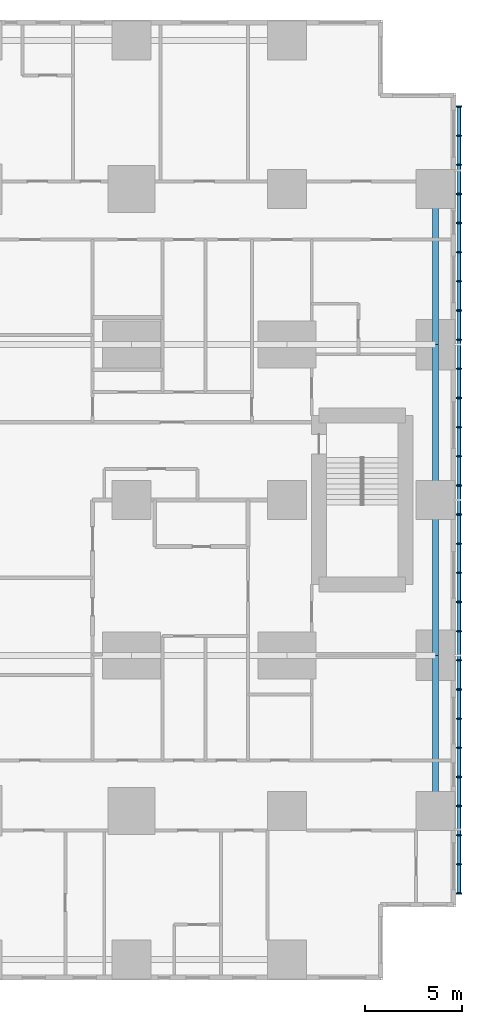
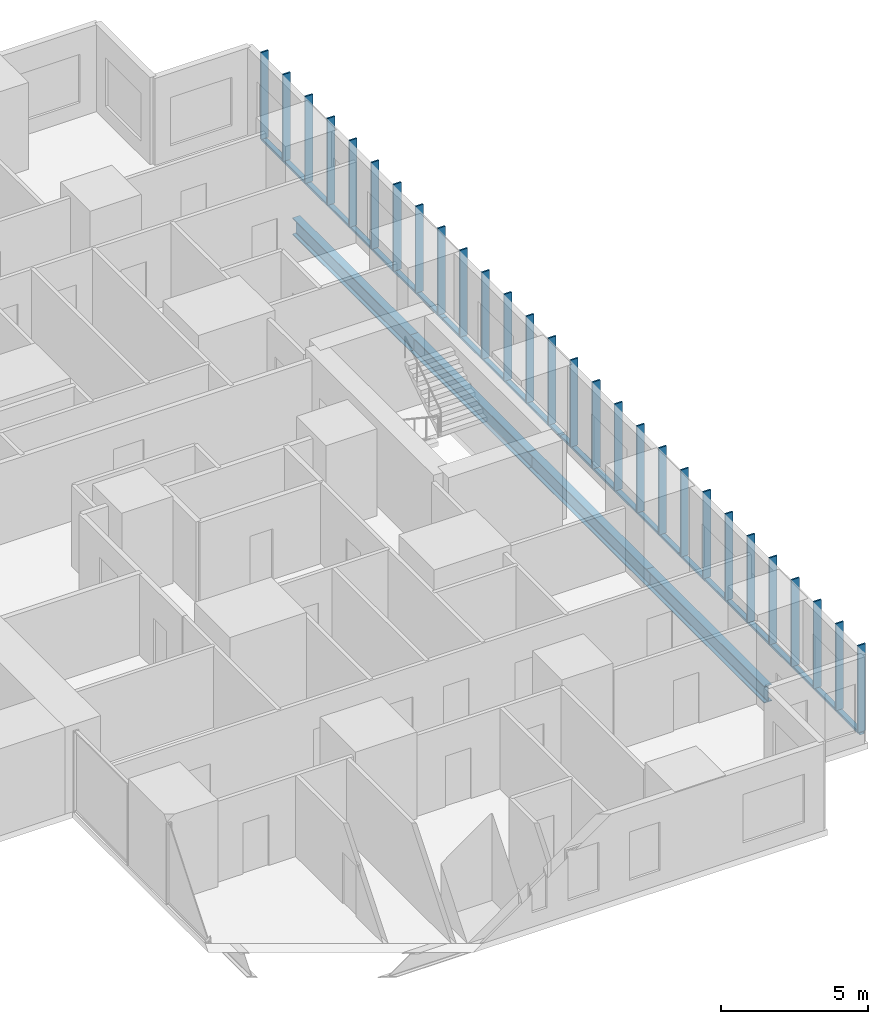
# One storey, part 6 of 20: 32 members, 4 beams.
"""IFC4 building model written with IfcOpenShell, lengths in metres."""

from ifc_helpers import new_model, si_unit, direction, frame, origin, origin_2d, place, context, subcontext, project, spatial, rectangle, hollow_rectangle, i_section, extrude, material, material_profile, profile_set, type_object, element, save


model = new_model("IFC4")

# Units and contexts
model_context = context("Model", 3, precision=1e-05, world=origin(), true_north=direction((0.0, 1.0)))
body_context = subcontext(model_context, "Body", "Model", "MODEL_VIEW")
ifc_project = project(units=[si_unit("LENGTHUNIT", "METRE"), si_unit("AREAUNIT", "SQUARE_METRE"), si_unit("VOLUMEUNIT", "CUBIC_METRE"), si_unit("PLANEANGLEUNIT", "RADIAN"), si_unit("MASSUNIT", "GRAM", prefix="KILO")], contexts=[model_context])

# Site, building, storey
site_placement = place(None, origin())
site = spatial("IfcSite", under=ifc_project, at=site_placement, CompositionType="ELEMENT")
building_placement = place(site_placement, origin())
building = spatial("IfcBuilding", under=site, at=building_placement, Name="Cleftline Residences", CompositionType="ELEMENT")
storey_placement = place(building_placement, frame((0.0, 0.0, 76.39990234375)))
storey = spatial("IfcBuildingStorey", under=building, at=storey_placement, Name="L19", CompositionType="ELEMENT", Elevation=76.39990234375)

# Members
ifc_material_1 = material(Name="Steel S355, hot-dip galvanised", Category="steel")
ifc_material_profile_1 = material_profile(ifc_material_1, hollow_rectangle(XDim=0.10009765625, YDim=0.199951171875, WallThickness=0.008056640625, InnerFilletRadius=0.008056640625, OuterFilletRadius=0.011962890625, at=origin_2d()))
ifc_profile_set_1 = profile_set([ifc_material_profile_1], Name="Steel S355, hot-dip galvanised")
member_type_1 = type_object("IfcMemberType", Name="BAGUETTE CARRIER RHS 200X100X8", PredefinedType="USERDEFINED", material=ifc_profile_set_1)
member_1_placement = place(storey_placement, frame((66.85009765625, 3.699951171875, -0.0498046875), z_axis=(0.0, 1.0, 0.0), x_axis=(0.0, 0.0, 1.0)))
element("IfcMember", 1, at=member_1_placement, inside=storey, type_object=member_type_1, Name="Baguette carrier", ObjectType="BAGUETTE CARRIER", PredefinedType="USERDEFINED", context=body_context, shape_type="SweptSolid", body=[
    extrude(hollow_rectangle(XDim=0.10009765625, YDim=0.199951171875, WallThickness=0.008056640625, InnerFilletRadius=0.008056640625, OuterFilletRadius=0.011962890625, at=origin_2d()), origin(), (0.0, 0.0, 1.0), 12.300048828125),
])
for number, where, z_axis, x_axis, name in (
    (2, (66.85009765625, 16.0, -0.0498046875), (0.0, 1.0, 0.0), (0.0, 0.0, 1.0), "Baguette carrier"),
    (3, (66.85009765625, 24.0, -0.0498046875), (0.0, 1.0, 0.0), (0.0, 0.0, 1.0), "Baguette carrier"),
):
    element("IfcMember", number, at=place(storey_placement, frame(where, z_axis=z_axis, x_axis=x_axis)), inside=storey, type_object=member_type_1, Name=name, ObjectType="BAGUETTE CARRIER", PredefinedType="USERDEFINED", context=body_context, shape_type="SweptSolid", body=[
        extrude(hollow_rectangle(XDim=0.10009765625, YDim=0.199951171875, WallThickness=0.008056640625, InnerFilletRadius=0.008056640625, OuterFilletRadius=0.011962890625, at=origin_2d()), origin(), (0.0, 0.0, 1.0), 8.0),
    ])
member_2_placement = place(storey_placement, frame((66.85009765625, 32.0, -0.0498046875), z_axis=(0.0, 1.0, 0.0), x_axis=(0.0, 0.0, 1.0)))
element("IfcMember", 4, at=member_2_placement, inside=storey, type_object=member_type_1, Name="Baguette carrier", ObjectType="BAGUETTE CARRIER", PredefinedType="USERDEFINED", context=body_context, shape_type="SweptSolid", body=[
    extrude(hollow_rectangle(XDim=0.10009765625, YDim=0.199951171875, WallThickness=0.008056640625, InnerFilletRadius=0.008056640625, OuterFilletRadius=0.011962890625, at=origin_2d()), origin(), (0.0, 0.0, 1.0), 12.300048828125),
])

# Beams
ifc_material_2 = material(Name="Steel S355", Category="steel")
ifc_material_profile_2 = material_profile(ifc_material_2, i_section(OverallWidth=0.300048828125, OverallDepth=0.699951171875, WebThickness=0.01708984375, FlangeThickness=0.031982421875, FilletRadius=0.027099609375, at=origin_2d()))
ifc_profile_set_2 = profile_set([ifc_material_profile_2], Name="Steel S355")
beam_type = type_object("IfcBeamType", Name="BEAM HEB 700", PredefinedType="BEAM", material=ifc_profile_set_2)
for number, where, z_axis, x_axis, name in (
    (5, (65.64990234375, 8.0, -0.599853515625), (0.0, 1.0, 0.0), (-1.0, 0.0, 0.0), "Edge beam"),
    (6, (65.64990234375, 16.0, -0.599853515625), (0.0, 1.0, 0.0), (-1.0, 0.0, 0.0), "Edge beam"),
    (7, (65.64990234375, 24.0, -0.599853515625), (0.0, 1.0, 0.0), (-1.0, 0.0, 0.0), "Edge beam"),
    (8, (65.64990234375, 32.0, -0.599853515625), (0.0, 1.0, 0.0), (-1.0, 0.0, 0.0), "Edge beam"),
):
    element("IfcBeam", number, at=place(storey_placement, frame(where, z_axis=z_axis, x_axis=x_axis)), inside=storey, type_object=beam_type, Name=name, PredefinedType="BEAM", context=body_context, shape_type="SweptSolid", body=[
        extrude(i_section(OverallWidth=0.300048828125, OverallDepth=0.699951171875, WebThickness=0.01708984375, FlangeThickness=0.031982421875, FilletRadius=0.027099609375, at=origin_2d()), origin(), (0.0, 0.0, 1.0), 8.0),
    ])

# Members
ifc_material_3 = material(Name="Extruded terracotta", Category="masonry")
ifc_material_profile_3 = material_profile(ifc_material_3, rectangle(XDim=0.06005859375, YDim=0.300048828125, at=origin_2d()))
ifc_profile_set_3 = profile_set([ifc_material_profile_3], Name="Extruded terracotta")
member_type_2 = type_object("IfcMemberType", Name="TERRACOTTA BAGUETTE 60X300", PredefinedType="USERDEFINED", material=ifc_profile_set_3)
for number, where, z_axis, x_axis, name in (
    (9, (66.85009765625, 3.75, 0.0), (0.0, 0.0, 1.0), (0.0, 1.0, 0.0), "Terracotta baguette"),
    (10, (66.85009765625, 5.25, 0.0), (0.0, 0.0, 1.0), (0.0, 1.0, 0.0), "Terracotta baguette"),
    (11, (66.85009765625, 6.75, 0.0), (0.0, 0.0, 1.0), (0.0, 1.0, 0.0), "Terracotta baguette"),
    (12, (66.85009765625, 8.25, 0.0), (0.0, 0.0, 1.0), (0.0, 1.0, 0.0), "Terracotta baguette"),
    (13, (66.85009765625, 9.75, 0.0), (0.0, 0.0, 1.0), (0.0, 1.0, 0.0), "Terracotta baguette"),
    (14, (66.85009765625, 11.25, 0.0), (0.0, 0.0, 1.0), (0.0, 1.0, 0.0), "Terracotta baguette"),
    (15, (66.85009765625, 12.75, 0.0), (0.0, 0.0, 1.0), (0.0, 1.0, 0.0), "Terracotta baguette"),
    (16, (66.85009765625, 14.25, 0.0), (0.0, 0.0, 1.0), (0.0, 1.0, 0.0), "Terracotta baguette"),
    (17, (66.85009765625, 15.75, 0.0), (0.0, 0.0, 1.0), (0.0, 1.0, 0.0), "Terracotta baguette"),
    (18, (66.85009765625, 17.25, 0.0), (0.0, 0.0, 1.0), (0.0, 1.0, 0.0), "Terracotta baguette"),
    (19, (66.85009765625, 18.75, 0.0), (0.0, 0.0, 1.0), (0.0, 1.0, 0.0), "Terracotta baguette"),
    (20, (66.85009765625, 20.25, 0.0), (0.0, 0.0, 1.0), (0.0, 1.0, 0.0), "Terracotta baguette"),
    (21, (66.85009765625, 21.75, 0.0), (0.0, 0.0, 1.0), (0.0, 1.0, 0.0), "Terracotta baguette"),
    (22, (66.85009765625, 23.25, 0.0), (0.0, 0.0, 1.0), (0.0, 1.0, 0.0), "Terracotta baguette"),
    (23, (66.85009765625, 24.75, 0.0), (0.0, 0.0, 1.0), (0.0, 1.0, 0.0), "Terracotta baguette"),
    (24, (66.85009765625, 26.25, 0.0), (0.0, 0.0, 1.0), (0.0, 1.0, 0.0), "Terracotta baguette"),
    (25, (66.85009765625, 27.75, 0.0), (0.0, 0.0, 1.0), (0.0, 1.0, 0.0), "Terracotta baguette"),
    (26, (66.85009765625, 29.25, 0.0), (0.0, 0.0, 1.0), (0.0, 1.0, 0.0), "Terracotta baguette"),
    (27, (66.85009765625, 30.75, 0.0), (0.0, 0.0, 1.0), (0.0, 1.0, 0.0), "Terracotta baguette"),
    (28, (66.85009765625, 32.25, 0.0), (0.0, 0.0, 1.0), (0.0, 1.0, 0.0), "Terracotta baguette"),
    (29, (66.85009765625, 33.75, 0.0), (0.0, 0.0, 1.0), (0.0, 1.0, 0.0), "Terracotta baguette"),
    (30, (66.85009765625, 35.25, 0.0), (0.0, 0.0, 1.0), (0.0, 1.0, 0.0), "Terracotta baguette"),
    (31, (66.85009765625, 36.75, 0.0), (0.0, 0.0, 1.0), (0.0, 1.0, 0.0), "Terracotta baguette"),
    (32, (66.85009765625, 38.25, 0.0), (0.0, 0.0, 1.0), (0.0, 1.0, 0.0), "Terracotta baguette"),
    (33, (66.85009765625, 39.75, 0.0), (0.0, 0.0, 1.0), (0.0, 1.0, 0.0), "Terracotta baguette"),
    (34, (66.85009765625, 41.25, 0.0), (0.0, 0.0, 1.0), (0.0, 1.0, 0.0), "Terracotta baguette"),
    (35, (66.85009765625, 42.75, 0.0), (0.0, 0.0, 1.0), (0.0, 1.0, 0.0), "Terracotta baguette"),
    (36, (66.85009765625, 44.25, 0.0), (0.0, 0.0, 1.0), (0.0, 1.0, 0.0), "Terracotta baguette"),
):
    element("IfcMember", number, at=place(storey_placement, frame(where, z_axis=z_axis, x_axis=x_axis)), inside=storey, type_object=member_type_2, Name=name, ObjectType="BAGUETTE", PredefinedType="USERDEFINED", context=body_context, shape_type="SweptSolid", body=[
        extrude(rectangle(XDim=0.06005859375, YDim=0.300048828125, at=origin_2d()), origin(), (0.0, 0.0, 1.0), 3.60009765625),
    ])

save(model, "model.ifc")
